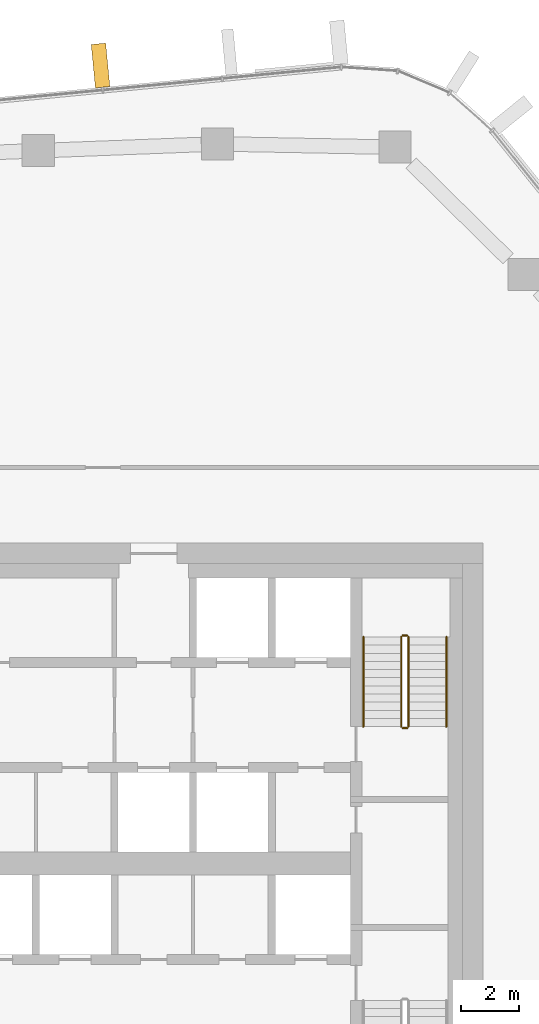
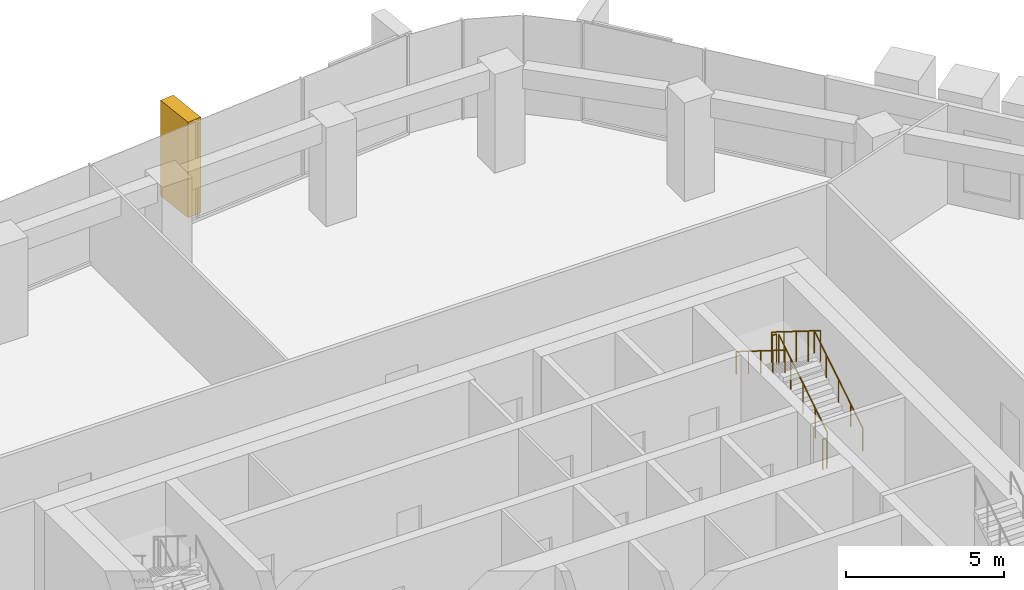
# One storey, part 19 of 20: 6 railings, 1 covering, 1 element without a shape of its own.
"""IFC4 building model written with IfcOpenShell, lengths in metres."""

import ifcopenshell
import ifcopenshell.guid

model = None  # the IFC model being written
_history = None  # IfcOwnerHistory: only IFC2X3 demands one
_inside = {}  # id of a spatial element -> (the spatial element, [elements in it])
_under = {}  # id of a project, library or spatial element -> (it, [spatial elements below it])
_declared = {}  # id of a project -> (the project, [libraries it declares])
_typed = {}  # id of a type object -> (the type object, [elements of that type])
_made_of = {}  # id of a material, layer set ... -> (it, [elements and type objects made of it])


def new_model(schema):
    """Start an empty IFC model of exactly this schema.

    Asked for "IFC4X3", IfcOpenShell would pick the latest addendum, in which some entities
    have other attributes; the version numbers below select the first issue.
    IFC2X3 requires an IfcOwnerHistory on every rooted entity: one is made here for all.
    """
    global model, _history
    if schema == "IFC4X3":
        model = ifcopenshell.file(schema_version=(4, 3, 0, 0))
    else:
        model = ifcopenshell.file(schema=schema)
    _inside.clear()
    _under.clear()
    _declared.clear()
    _typed.clear()
    _made_of.clear()
    _history = None
    if model.schema == "IFC2X3":
        org = make("IfcOrganization", Name="unknown")
        user = make(
            "IfcPersonAndOrganization",
            ThePerson=make("IfcPerson", FamilyName="unknown"),
            TheOrganization=org,
        )
        app = make(
            "IfcApplication",
            ApplicationDeveloper=org,
            Version="unknown",
            ApplicationFullName="unknown",
            ApplicationIdentifier="unknown",
        )
        _history = make(
            "IfcOwnerHistory",
            OwningUser=user,
            OwningApplication=app,
            ChangeAction="ADDED",
            CreationDate=0,
        )
    return model


def make(cls, **values):
    """One entity of the class cls with the attributes given. An attribute that is None is left unset."""
    return model.create_entity(
        cls, **{name: value for name, value in values.items() if value is not None}
    )


def rooted(cls, **values):
    """An entity with a GlobalId (a new one), such as an element, a storey or a relation."""
    return make(cls, GlobalId=ifcopenshell.guid.new(), OwnerHistory=_history, **values)


def si_unit(unit_type, name, prefix=None):
    """IfcSIUnit, for example si_unit("LENGTHUNIT", "METRE", prefix="MILLI")."""
    return make("IfcSIUnit", UnitType=unit_type, Prefix=prefix, Name=name)


def assignment(units):
    """IfcUnitAssignment: the units of a project."""
    return None if units is None else make("IfcUnitAssignment", Units=units)


def point(xyz):
    """IfcCartesianPoint."""
    return None if xyz is None else make("IfcCartesianPoint", Coordinates=xyz)


def direction(xyz):
    """IfcDirection."""
    return None if xyz is None else make("IfcDirection", DirectionRatios=xyz)


def frame(location, z_axis=None, x_axis=None):
    """IfcAxis2Placement3D, a coordinate frame: its origin and axes. An axis left out is left unset."""
    return make(
        "IfcAxis2Placement3D",
        Location=point(location),
        Axis=direction(z_axis),
        RefDirection=direction(x_axis),
    )


def frame_2d(location, x_axis=None):
    """IfcAxis2Placement2D, a coordinate frame in the plane: its origin and x axis."""
    return make(
        "IfcAxis2Placement2D", Location=point(location), RefDirection=direction(x_axis)
    )


def origin():
    """The frame at (0, 0, 0) with its axes left unset."""
    return frame((0.0, 0.0, 0.0))


def origin_2d():
    """The frame at (0, 0) in the plane with its x axis left unset."""
    return frame_2d((0.0, 0.0))


def place(relative_to, where):
    """IfcLocalPlacement: puts the frame where relative to a parent placement (None: the world)."""
    return make(
        "IfcLocalPlacement", PlacementRelTo=relative_to, RelativePlacement=where
    )


def context(
    kind, dimensions, precision=None, world=None, true_north=None, identifier=None
):
    """IfcGeometricRepresentationContext, for example the 3D "Model" context."""
    return make(
        "IfcGeometricRepresentationContext",
        ContextIdentifier=identifier,
        ContextType=kind,
        CoordinateSpaceDimension=dimensions,
        Precision=precision,
        WorldCoordinateSystem=world,
        TrueNorth=true_north,
    )


def subcontext(parent, identifier, kind, view, scale=None):
    """IfcGeometricRepresentationSubContext, for example "Body" below "Model"."""
    return make(
        "IfcGeometricRepresentationSubContext",
        ContextIdentifier=identifier,
        ContextType=kind,
        ParentContext=parent,
        TargetScale=scale,
        TargetView=view,
    )


def project(units=None, contexts=None):
    """IfcProject with its units and contexts."""
    return rooted(
        "IfcProject",
        Name="project",
        RepresentationContexts=contexts,
        UnitsInContext=assignment(units),
    )


def spatial(cls, under=None, at=None, **own):
    """A site, building, storey or space (cls), placed at a placement, below another one or the project."""
    s = rooted(cls, ObjectPlacement=at, **own)
    if under is not None:
        _under.setdefault(under.id(), (under, []))[1].append(s)
    return s


def profile(cls, at=None, kind="AREA", **sizes):
    """A parametric profile (cls). Its sizes go by their IFC names, for example OverallWidth=200.0."""
    return make(cls, ProfileType=kind, Position=at, **sizes)


def rectangle(**sizes):
    """IfcRectangleProfileDef."""
    return profile("IfcRectangleProfileDef", **sizes)


def circle(**sizes):
    """IfcCircleProfileDef."""
    return profile("IfcCircleProfileDef", **sizes)


def extrude(swept, where, along, depth):
    """IfcExtrudedAreaSolid: the profile swept, set in the frame where, extruded along a direction by depth."""
    return make(
        "IfcExtrudedAreaSolid",
        SweptArea=swept,
        Position=where,
        ExtrudedDirection=direction(along),
        Depth=depth,
    )


def shape(context_of_items, identifier, shape_type, items):
    """IfcShapeRepresentation: the items that make up one representation, for example the "Body"."""
    return make(
        "IfcShapeRepresentation",
        ContextOfItems=context_of_items,
        RepresentationIdentifier=identifier,
        RepresentationType=shape_type,
        Items=items,
    )


def material(Name=None, Category=None):
    """IfcMaterial."""
    return make("IfcMaterial", Name=Name, Category=Category)


def layer(
    of_material, thickness, ventilated=None, Name=None, Category=None, Priority=None
):
    """IfcMaterialLayer: one layer of a wall or slab, of a material (None: an air gap)."""
    return make(
        "IfcMaterialLayer",
        Material=of_material,
        LayerThickness=thickness,
        IsVentilated=ventilated,
        Name=Name,
        Category=Category,
        Priority=Priority,
    )


def layer_set(layers, Name=None):
    """IfcMaterialLayerSet."""
    return make("IfcMaterialLayerSet", MaterialLayers=layers, LayerSetName=Name)


def material_profile(
    of_material, cross_section, Name=None, Category=None, Priority=None
):
    """IfcMaterialProfile: a cross section and its material."""
    return make(
        "IfcMaterialProfile",
        Name=Name,
        Material=of_material,
        Profile=cross_section,
        Priority=Priority,
        Category=Category,
    )


def profile_set(profiles, Name=None, composite=None):
    """IfcMaterialProfileSet."""
    return make(
        "IfcMaterialProfileSet",
        Name=Name,
        MaterialProfiles=profiles,
        CompositeProfile=composite,
    )


def made_of(thing, what):
    """Note that an element or type object is made of a material, layer set ...; save() writes the relation."""
    if what is not None:
        _made_of.setdefault(what.id(), (what, []))[1].append(thing)
    return thing


def type_object(cls, material=None, **own):
    """A type object (cls), such as IfcWallType, which elements share."""
    return made_of(rooted(cls, **own), material)


def element(
    cls,
    number,
    at=None,
    inside=None,
    cuts=None,
    type_object=None,
    material=None,
    context=None,
    identifier="Body",
    shape_type=None,
    held_by="IfcProductDefinitionShape",
    body=None,
    shapes=None,
    **own,
):
    """One element of the class cls, such as IfcWall. Its Tag is "e" and its number.

    at: its placement. inside: the storey or other place that contains it. cuts: it is an
    opening in that element (IfcRelVoidsElement). A single representation is given by context,
    identifier, shape_type and body (its items); several are given by shapes. held_by: the class
    of the entity that holds the representations. save() writes the other relations.
    """
    e = rooted(cls, Tag="e%d" % number, ObjectPlacement=at, **own)
    if body is not None:
        shapes = [shape(context, identifier, shape_type, body)]
    if shapes is not None:
        e.Representation = make(held_by, Representations=shapes)
    if inside is not None:
        _inside.setdefault(inside.id(), (inside, []))[1].append(e)
    if cuts is not None:
        rooted(
            "IfcRelVoidsElement", RelatingBuildingElement=cuts, RelatedOpeningElement=e
        )
    if type_object is not None:
        _typed.setdefault(type_object.id(), (type_object, []))[1].append(e)
    return made_of(e, material)


def aggregate(whole, parts):
    """IfcRelAggregates: a whole, such as a stair, and the parts it consists of."""
    return rooted("IfcRelAggregates", RelatingObject=whole, RelatedObjects=parts)


def save(model, path):
    """Write the relations noted so far, then the file.

    IfcRelAggregates (storeys below a building ...), IfcRelContainedInSpatialStructure (elements
    in a storey), IfcRelDefinesByType, IfcRelAssociatesMaterial and IfcRelDeclares: one each for
    every whole, place, type object, material and project.
    """
    for whole, parts in _under.values():
        aggregate(whole, parts)
    for where, things in _inside.values():
        rooted(
            "IfcRelContainedInSpatialStructure",
            RelatedElements=things,
            RelatingStructure=where,
        )
    for kind, things in _typed.values():
        rooted("IfcRelDefinesByType", RelatedObjects=things, RelatingType=kind)
    for what, things in _made_of.values():
        rooted("IfcRelAssociatesMaterial", RelatedObjects=things, RelatingMaterial=what)
    for by, libraries in _declared.values():
        rooted("IfcRelDeclares", RelatingContext=by, RelatedDefinitions=libraries)
    model.write(path)


model = new_model("IFC4")

# Units and contexts
model_context = context("Model", 3, precision=1e-05, world=origin(), true_north=direction((0.0, 1.0)))
body_context = subcontext(model_context, "Body", "Model", "MODEL_VIEW")
ifc_project = project(units=[si_unit("LENGTHUNIT", "METRE"), si_unit("AREAUNIT", "SQUARE_METRE"), si_unit("VOLUMEUNIT", "CUBIC_METRE"), si_unit("PLANEANGLEUNIT", "RADIAN"), si_unit("MASSUNIT", "GRAM", prefix="KILO")], contexts=[model_context])

# Site, building, storey
site_placement = place(None, origin())
site = spatial("IfcSite", under=ifc_project, at=site_placement, CompositionType="ELEMENT")
building_placement = place(site_placement, origin())
building = spatial("IfcBuilding", under=site, at=building_placement, Name="Dongbaek Canopy Tower", CompositionType="ELEMENT")
storey_placement = place(building_placement, frame((0.0, 0.0, 258.0)))
storey = spatial("IfcBuildingStorey", under=building, at=storey_placement, Name="L54", CompositionType="ELEMENT", Elevation=258.0)

# Curtain wall, covering
ifc_material_1 = material(Name="Aluminium 6063-T6 pale anodised", Category="aluminium")
ifc_layer = layer(ifc_material_1, 0.199951171875)
ifc_layer_set = layer_set([ifc_layer], Name="CW-1 unitised tower curtain wall")
curtain_wall_type = type_object("IfcCurtainWallType", Name="CW-1 unitised tower curtain wall", PredefinedType="NOTDEFINED", material=ifc_layer_set)
curtain_wall_placement = place(storey_placement, origin())
curtain_wall = element("IfcCurtainWall", 1, at=curtain_wall_placement, inside=storey, type_object=curtain_wall_type, Name="CW-1 curtain wall F1.1", PredefinedType="NOTDEFINED")
ifc_material_2 = material(Name="Aluminium 6063-T6 pale metal fin", Category="aluminium")
ifc_material_profile = material_profile(ifc_material_2, rectangle(XDim=1.5, YDim=0.5, at=origin_2d()), Name="Fin FN1 500 x 1500 pale metal")
ifc_profile_set = profile_set([ifc_material_profile], Name="Aluminium 6063-T6 pale metal fin")
covering_type = type_object("IfcCoveringType", Name="Fin FN1 500 x 1500 pale metal", PredefinedType="CLADDING", material=ifc_profile_set)
covering_placement = place(storey_placement, frame((0.873046875, 27.404541015625, 0.1201171875), z_axis=(0.0, 0.0, 1.0), x_axis=(-0.096505718384, 0.995332430055, 0.0)))
covering = element("IfcCovering", 2, at=covering_placement, type_object=covering_type, Name="Fin F1.1.3", PredefinedType="CLADDING", context=body_context, shape_type="SweptSolid", body=[
    extrude(rectangle(XDim=1.5, YDim=0.5, at=origin_2d()), origin(), (0.0, 0.0, 1.0), 3.699951171875),
])
aggregate(curtain_wall, [covering])

# Railings
ifc_material_3 = material(Name="Stainless steel tube and balusters", Category="steel")
railing_type_1 = type_object("IfcRailingType", Name="Stair guard 1200", PredefinedType="GUARDRAIL", material=ifc_material_3)
railing_1_placement = place(storey_placement, frame((11.449951171875, 4.699951171875, 0.175048828125)))
element("IfcRailing", 3, at=railing_1_placement, inside=storey, type_object=railing_type_1, Name="L54 ST-A stair guard 1", PredefinedType="GUARDRAIL", context=body_context, shape_type="SweptSolid", body=[
    extrude(circle(Radius=0.02392578125, at=origin_2d()), frame((0.0, 0.0, 1.17578125), z_axis=(0.0, 0.847998304005, 0.529998940003), x_axis=(-1.0, 0.0, 0.0)), (0.0, 0.0, 1.0), 3.632080078125),
    extrude(circle(Radius=0.02099609375, at=origin_2d()), origin(), (0.0, 0.0, 1.0), 1.15185546875),
    extrude(circle(Radius=0.02099609375, at=origin_2d()), frame((0.0, 0.77001953125, 0.481201171875)), (0.0, 0.0, 1.0), 1.15185546875),
    extrude(circle(Radius=0.02099609375, at=origin_2d()), frame((0.0, 1.5400390625, 0.96240234375)), (0.0, 0.0, 1.0), 1.15185546875),
    extrude(circle(Radius=0.02099609375, at=origin_2d()), frame((0.0, 2.31005859375, 1.44384765625)), (0.0, 0.0, 1.0), 1.15185546875),
    extrude(circle(Radius=0.02099609375, at=origin_2d()), frame((0.0, 3.080078125, 1.925048828125)), (0.0, 0.0, 1.0), 1.15185546875),
])
railing_2_placement = place(storey_placement, frame((11.39990234375, 7.830078125, 2.10009765625)))
element("IfcRailing", 4, at=railing_2_placement, inside=storey, type_object=railing_type_1, Name="L54 ST-A stair guard 2", PredefinedType="GUARDRAIL", context=body_context, shape_type="SweptSolid", body=[
    extrude(circle(Radius=0.02392578125, at=origin_2d()), frame((0.0, 0.0, 1.17578125), z_axis=(-1.0, 0.0, 0.0), x_axis=(0.0, -1.0, 0.0)), (0.0, 0.0, 1.0), 0.14990234375),
    extrude(circle(Radius=0.02099609375, at=origin_2d()), origin(), (0.0, 0.0, 1.0), 1.15185546875),
    extrude(circle(Radius=0.02099609375, at=origin_2d()), frame((-0.14990234375, 0.0, 0.0)), (0.0, 0.0, 1.0), 1.15185546875),
])
railing_3_placement = place(storey_placement, frame((11.199951171875, 7.780029296875, 2.27490234375)))
element("IfcRailing", 5, at=railing_3_placement, inside=storey, type_object=railing_type_1, Name="L54 ST-A stair guard 3", PredefinedType="GUARDRAIL", context=body_context, shape_type="SweptSolid", body=[
    extrude(circle(Radius=0.02392578125, at=origin_2d()), frame((0.0, 0.0, 1.17578125), z_axis=(0.0, -0.847998304005, 0.529998940003), x_axis=(1.0, 0.0, 0.0)), (0.0, 0.0, 1.0), 3.632080078125),
    extrude(circle(Radius=0.02099609375, at=origin_2d()), origin(), (0.0, 0.0, 1.0), 1.15185546875),
    extrude(circle(Radius=0.02099609375, at=origin_2d()), frame((0.0, -0.77001953125, 0.481201171875)), (0.0, 0.0, 1.0), 1.15185546875),
    extrude(circle(Radius=0.02099609375, at=origin_2d()), frame((0.0, -1.5400390625, 0.96240234375)), (0.0, 0.0, 1.0), 1.15185546875),
    extrude(circle(Radius=0.02099609375, at=origin_2d()), frame((0.0, -2.31005859375, 1.44384765625)), (0.0, 0.0, 1.0), 1.15185546875),
    extrude(circle(Radius=0.02099609375, at=origin_2d()), frame((0.0, -3.080078125, 1.925048828125)), (0.0, 0.0, 1.0), 1.15185546875),
])
railing_4_placement = place(storey_placement, frame((11.39990234375, 4.64990234375, 0.0)))
element("IfcRailing", 6, at=railing_4_placement, inside=storey, type_object=railing_type_1, Name="L54 ST-A stair guard 4", PredefinedType="GUARDRAIL", context=body_context, shape_type="SweptSolid", body=[
    extrude(circle(Radius=0.02392578125, at=origin_2d()), frame((0.0, 0.0, 1.17578125), z_axis=(-1.0, 0.0, 0.0), x_axis=(0.0, -1.0, 0.0)), (0.0, 0.0, 1.0), 0.14990234375),
    extrude(circle(Radius=0.02099609375, at=origin_2d()), origin(), (0.0, 0.0, 1.0), 1.15185546875),
    extrude(circle(Radius=0.02099609375, at=origin_2d()), frame((-0.14990234375, 0.0, 0.0)), (0.0, 0.0, 1.0), 1.15185546875),
])
ifc_material_4 = material(Name="Stainless steel tube", Category="steel")
railing_type_2 = type_object("IfcRailingType", Name="Stair handrail 900", PredefinedType="HANDRAIL", material=ifc_material_4)
railing_5_placement = place(storey_placement, frame((12.75, 4.699951171875, 0.175048828125)))
element("IfcRailing", 7, at=railing_5_placement, inside=storey, type_object=railing_type_2, Name="L54 ST-A stair handrail 1", PredefinedType="HANDRAIL", context=body_context, shape_type="SweptSolid", body=[
    extrude(circle(Radius=0.02392578125, at=origin_2d()), frame((0.0, 0.0, 0.8759765625), z_axis=(0.0, 0.847998304005, 0.529998940003), x_axis=(-1.0, 0.0, 0.0)), (0.0, 0.0, 1.0), 3.632080078125),
    extrude(circle(Radius=0.02099609375, at=origin_2d()), origin(), (0.0, 0.0, 1.0), 0.851806640625),
    extrude(circle(Radius=0.02099609375, at=origin_2d()), frame((0.0, 0.77001953125, 0.481201171875)), (0.0, 0.0, 1.0), 0.851806640625),
    extrude(circle(Radius=0.02099609375, at=origin_2d()), frame((0.0, 1.5400390625, 0.96240234375)), (0.0, 0.0, 1.0), 0.851806640625),
    extrude(circle(Radius=0.02099609375, at=origin_2d()), frame((0.0, 2.31005859375, 1.44384765625)), (0.0, 0.0, 1.0), 0.851806640625),
    extrude(circle(Radius=0.02099609375, at=origin_2d()), frame((0.0, 3.080078125, 1.925048828125)), (0.0, 0.0, 1.0), 0.851806640625),
])
railing_6_placement = place(storey_placement, frame((9.89990234375, 7.780029296875, 2.27490234375)))
element("IfcRailing", 8, at=railing_6_placement, inside=storey, type_object=railing_type_2, Name="L54 ST-A stair handrail 2", PredefinedType="HANDRAIL", context=body_context, shape_type="SweptSolid", body=[
    extrude(circle(Radius=0.02392578125, at=origin_2d()), frame((0.0, 0.0, 0.8759765625), z_axis=(0.0, -0.847998304005, 0.529998940003), x_axis=(1.0, 0.0, 0.0)), (0.0, 0.0, 1.0), 3.632080078125),
    extrude(circle(Radius=0.02099609375, at=origin_2d()), origin(), (0.0, 0.0, 1.0), 0.851806640625),
    extrude(circle(Radius=0.02099609375, at=origin_2d()), frame((0.0, -0.77001953125, 0.481201171875)), (0.0, 0.0, 1.0), 0.851806640625),
    extrude(circle(Radius=0.02099609375, at=origin_2d()), frame((0.0, -1.5400390625, 0.96240234375)), (0.0, 0.0, 1.0), 0.851806640625),
    extrude(circle(Radius=0.02099609375, at=origin_2d()), frame((0.0, -2.31005859375, 1.44384765625)), (0.0, 0.0, 1.0), 0.851806640625),
    extrude(circle(Radius=0.02099609375, at=origin_2d()), frame((0.0, -3.080078125, 1.925048828125)), (0.0, 0.0, 1.0), 0.851806640625),
])

save(model, "model.ifc")
